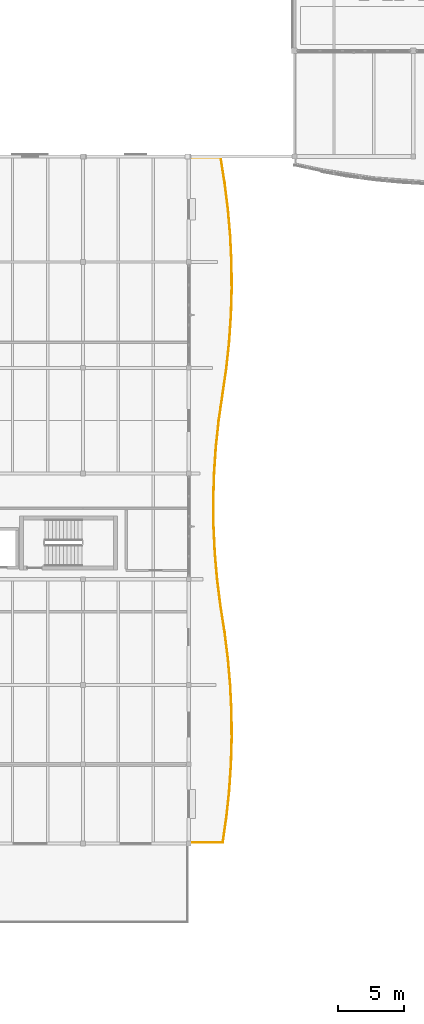
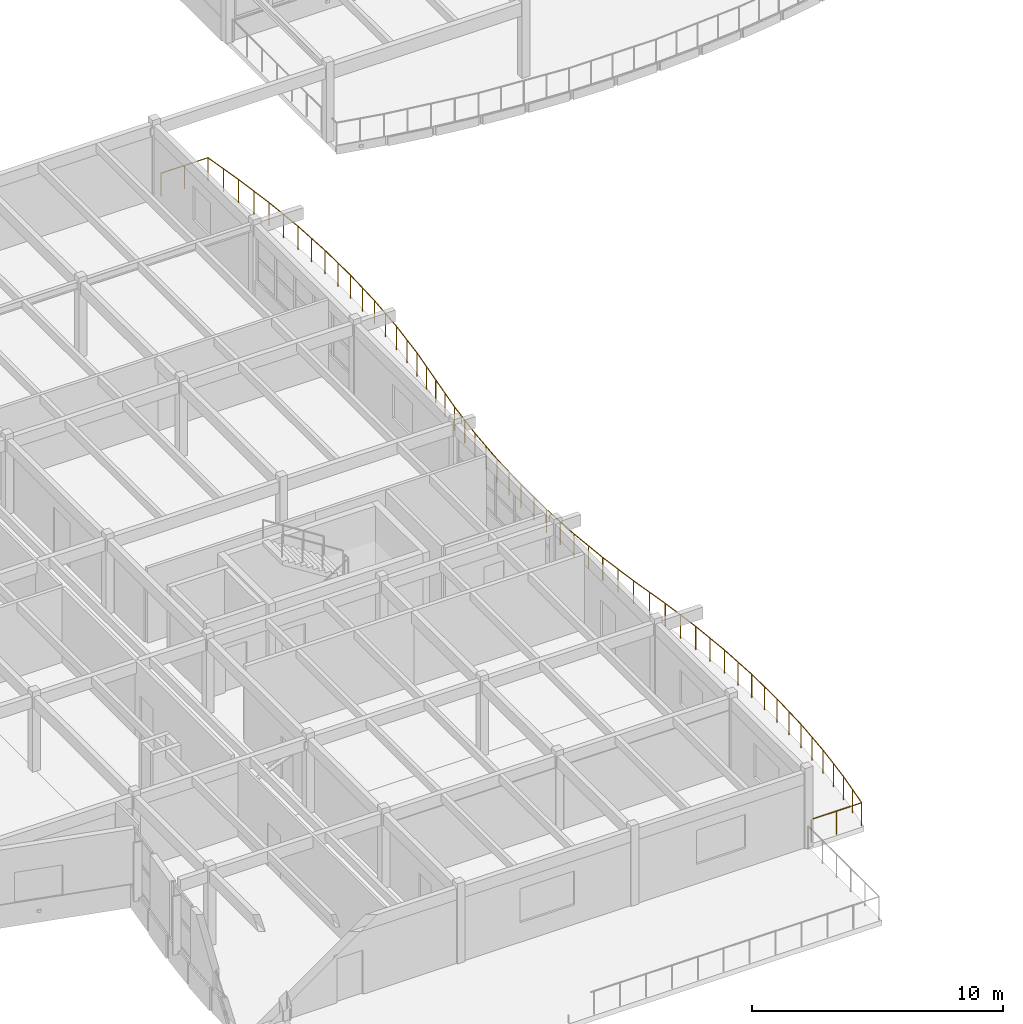
# One storey, part 56 of 63: 1 railing.
"""IFC4 building model written with IfcOpenShell, lengths in metres."""

import ifcopenshell
import ifcopenshell.guid

model = None  # the IFC model being written
_history = None  # IfcOwnerHistory: only IFC2X3 demands one
_inside = {}  # id of a spatial element -> (the spatial element, [elements in it])
_under = {}  # id of a project, library or spatial element -> (it, [spatial elements below it])
_declared = {}  # id of a project -> (the project, [libraries it declares])
_typed = {}  # id of a type object -> (the type object, [elements of that type])
_made_of = {}  # id of a material, layer set ... -> (it, [elements and type objects made of it])


def new_model(schema):
    """Start an empty IFC model of exactly this schema.

    Asked for "IFC4X3", IfcOpenShell would pick the latest addendum, in which some entities
    have other attributes; the version numbers below select the first issue.
    IFC2X3 requires an IfcOwnerHistory on every rooted entity: one is made here for all.
    """
    global model, _history
    if schema == "IFC4X3":
        model = ifcopenshell.file(schema_version=(4, 3, 0, 0))
    else:
        model = ifcopenshell.file(schema=schema)
    _inside.clear()
    _under.clear()
    _declared.clear()
    _typed.clear()
    _made_of.clear()
    _history = None
    if model.schema == "IFC2X3":
        org = make("IfcOrganization", Name="unknown")
        user = make(
            "IfcPersonAndOrganization",
            ThePerson=make("IfcPerson", FamilyName="unknown"),
            TheOrganization=org,
        )
        app = make(
            "IfcApplication",
            ApplicationDeveloper=org,
            Version="unknown",
            ApplicationFullName="unknown",
            ApplicationIdentifier="unknown",
        )
        _history = make(
            "IfcOwnerHistory",
            OwningUser=user,
            OwningApplication=app,
            ChangeAction="ADDED",
            CreationDate=0,
        )
    return model


def make(cls, **values):
    """One entity of the class cls with the attributes given. An attribute that is None is left unset."""
    return model.create_entity(
        cls, **{name: value for name, value in values.items() if value is not None}
    )


def rooted(cls, **values):
    """An entity with a GlobalId (a new one), such as an element, a storey or a relation."""
    return make(cls, GlobalId=ifcopenshell.guid.new(), OwnerHistory=_history, **values)


def si_unit(unit_type, name, prefix=None):
    """IfcSIUnit, for example si_unit("LENGTHUNIT", "METRE", prefix="MILLI")."""
    return make("IfcSIUnit", UnitType=unit_type, Prefix=prefix, Name=name)


def assignment(units):
    """IfcUnitAssignment: the units of a project."""
    return None if units is None else make("IfcUnitAssignment", Units=units)


def point(xyz):
    """IfcCartesianPoint."""
    return None if xyz is None else make("IfcCartesianPoint", Coordinates=xyz)


def direction(xyz):
    """IfcDirection."""
    return None if xyz is None else make("IfcDirection", DirectionRatios=xyz)


def frame(location, z_axis=None, x_axis=None):
    """IfcAxis2Placement3D, a coordinate frame: its origin and axes. An axis left out is left unset."""
    return make(
        "IfcAxis2Placement3D",
        Location=point(location),
        Axis=direction(z_axis),
        RefDirection=direction(x_axis),
    )


def frame_2d(location, x_axis=None):
    """IfcAxis2Placement2D, a coordinate frame in the plane: its origin and x axis."""
    return make(
        "IfcAxis2Placement2D", Location=point(location), RefDirection=direction(x_axis)
    )


def origin():
    """The frame at (0, 0, 0) with its axes left unset."""
    return frame((0.0, 0.0, 0.0))


def origin_2d():
    """The frame at (0, 0) in the plane with its x axis left unset."""
    return frame_2d((0.0, 0.0))


def place(relative_to, where):
    """IfcLocalPlacement: puts the frame where relative to a parent placement (None: the world)."""
    return make(
        "IfcLocalPlacement", PlacementRelTo=relative_to, RelativePlacement=where
    )


def context(
    kind, dimensions, precision=None, world=None, true_north=None, identifier=None
):
    """IfcGeometricRepresentationContext, for example the 3D "Model" context."""
    return make(
        "IfcGeometricRepresentationContext",
        ContextIdentifier=identifier,
        ContextType=kind,
        CoordinateSpaceDimension=dimensions,
        Precision=precision,
        WorldCoordinateSystem=world,
        TrueNorth=true_north,
    )


def subcontext(parent, identifier, kind, view, scale=None):
    """IfcGeometricRepresentationSubContext, for example "Body" below "Model"."""
    return make(
        "IfcGeometricRepresentationSubContext",
        ContextIdentifier=identifier,
        ContextType=kind,
        ParentContext=parent,
        TargetScale=scale,
        TargetView=view,
    )


def project(units=None, contexts=None):
    """IfcProject with its units and contexts."""
    return rooted(
        "IfcProject",
        Name="project",
        RepresentationContexts=contexts,
        UnitsInContext=assignment(units),
    )


def spatial(cls, under=None, at=None, **own):
    """A site, building, storey or space (cls), placed at a placement, below another one or the project."""
    s = rooted(cls, ObjectPlacement=at, **own)
    if under is not None:
        _under.setdefault(under.id(), (under, []))[1].append(s)
    return s


def profile(cls, at=None, kind="AREA", **sizes):
    """A parametric profile (cls). Its sizes go by their IFC names, for example OverallWidth=200.0."""
    return make(cls, ProfileType=kind, Position=at, **sizes)


def circle(**sizes):
    """IfcCircleProfileDef."""
    return profile("IfcCircleProfileDef", **sizes)


def extrude(swept, where, along, depth):
    """IfcExtrudedAreaSolid: the profile swept, set in the frame where, extruded along a direction by depth."""
    return make(
        "IfcExtrudedAreaSolid",
        SweptArea=swept,
        Position=where,
        ExtrudedDirection=direction(along),
        Depth=depth,
    )


def shape(context_of_items, identifier, shape_type, items):
    """IfcShapeRepresentation: the items that make up one representation, for example the "Body"."""
    return make(
        "IfcShapeRepresentation",
        ContextOfItems=context_of_items,
        RepresentationIdentifier=identifier,
        RepresentationType=shape_type,
        Items=items,
    )


def material(Name=None, Category=None):
    """IfcMaterial."""
    return make("IfcMaterial", Name=Name, Category=Category)


def made_of(thing, what):
    """Note that an element or type object is made of a material, layer set ...; save() writes the relation."""
    if what is not None:
        _made_of.setdefault(what.id(), (what, []))[1].append(thing)
    return thing


def type_object(cls, material=None, **own):
    """A type object (cls), such as IfcWallType, which elements share."""
    return made_of(rooted(cls, **own), material)


def element(
    cls,
    number,
    at=None,
    inside=None,
    cuts=None,
    type_object=None,
    material=None,
    context=None,
    identifier="Body",
    shape_type=None,
    held_by="IfcProductDefinitionShape",
    body=None,
    shapes=None,
    **own,
):
    """One element of the class cls, such as IfcWall. Its Tag is "e" and its number.

    at: its placement. inside: the storey or other place that contains it. cuts: it is an
    opening in that element (IfcRelVoidsElement). A single representation is given by context,
    identifier, shape_type and body (its items); several are given by shapes. held_by: the class
    of the entity that holds the representations. save() writes the other relations.
    """
    e = rooted(cls, Tag="e%d" % number, ObjectPlacement=at, **own)
    if body is not None:
        shapes = [shape(context, identifier, shape_type, body)]
    if shapes is not None:
        e.Representation = make(held_by, Representations=shapes)
    if inside is not None:
        _inside.setdefault(inside.id(), (inside, []))[1].append(e)
    if cuts is not None:
        rooted(
            "IfcRelVoidsElement", RelatingBuildingElement=cuts, RelatedOpeningElement=e
        )
    if type_object is not None:
        _typed.setdefault(type_object.id(), (type_object, []))[1].append(e)
    return made_of(e, material)


def aggregate(whole, parts):
    """IfcRelAggregates: a whole, such as a stair, and the parts it consists of."""
    return rooted("IfcRelAggregates", RelatingObject=whole, RelatedObjects=parts)


def save(model, path):
    """Write the relations noted so far, then the file.

    IfcRelAggregates (storeys below a building ...), IfcRelContainedInSpatialStructure (elements
    in a storey), IfcRelDefinesByType, IfcRelAssociatesMaterial and IfcRelDeclares: one each for
    every whole, place, type object, material and project.
    """
    for whole, parts in _under.values():
        aggregate(whole, parts)
    for where, things in _inside.values():
        rooted(
            "IfcRelContainedInSpatialStructure",
            RelatedElements=things,
            RelatingStructure=where,
        )
    for kind, things in _typed.values():
        rooted("IfcRelDefinesByType", RelatedObjects=things, RelatingType=kind)
    for what, things in _made_of.values():
        rooted("IfcRelAssociatesMaterial", RelatedObjects=things, RelatingMaterial=what)
    for by, libraries in _declared.values():
        rooted("IfcRelDeclares", RelatingContext=by, RelatedDefinitions=libraries)
    model.write(path)


model = new_model("IFC4")

# Units and contexts
model_context = context("Model", 3, precision=1e-05, world=origin(), true_north=direction((0.0, 1.0)))
body_context = subcontext(model_context, "Body", "Model", "MODEL_VIEW")
ifc_project = project(units=[si_unit("LENGTHUNIT", "METRE"), si_unit("AREAUNIT", "SQUARE_METRE"), si_unit("VOLUMEUNIT", "CUBIC_METRE"), si_unit("PLANEANGLEUNIT", "RADIAN"), si_unit("MASSUNIT", "GRAM", prefix="KILO")], contexts=[model_context])

# Site, building, storey
site_placement = place(None, origin())
site = spatial("IfcSite", under=ifc_project, at=site_placement, CompositionType="ELEMENT")
building_placement = place(site_placement, origin())
building = spatial("IfcBuilding", under=site, at=building_placement, Name="Tonlespit Floodbar School", CompositionType="ELEMENT")
storey_placement = place(building_placement, frame((0.0, 0.0, 8.39990234375)))
storey = spatial("IfcBuildingStorey", under=building, at=storey_placement, Name="L02", CompositionType="ELEMENT", Elevation=8.39990234375)

# Railing
ifc_material = material(Name="Galvanised Steel", Category="steel")
railing_type = type_object("IfcRailingType", Name="Balustrade_Ext_1150", PredefinedType="BALUSTRADE", material=ifc_material)
railing_placement = place(storey_placement, frame((36.26123046875, 95.919921875, 0.0)))
element("IfcRailing", 1, at=railing_placement, inside=storey, type_object=railing_type, Name="L02 terrace balustrade 017", PredefinedType="BALUSTRADE", context=body_context, shape_type="SweptSolid", body=[
    extrude(circle(Radius=0.02392578125, at=origin_2d()), frame((0.0, 0.0, 1.1259765625), z_axis=(1.0, 0.0, 0.0), x_axis=(0.0, 1.0, 0.0)), (0.0, 0.0, 1.0), 2.1640625),
    extrude(circle(Radius=0.02392578125, at=origin_2d()), frame((2.1640625, 0.0, 1.1259765625), z_axis=(0.15415965399, -0.988045950896, 0.0), x_axis=(0.988045950896, 0.15415965399, 0.0)), (0.0, 0.0, 1.0), 1.954345703125),
    extrude(circle(Radius=0.02392578125, at=origin_2d()), frame((2.46533203125, -1.930908203125, 1.1259765625), z_axis=(0.124915343576, -0.992167403687, 0.0), x_axis=(0.992167403687, 0.124915343576, 0.0)), (0.0, 0.0, 1.0), 2.01318359375),
    extrude(circle(Radius=0.02392578125, at=origin_2d()), frame((2.716796875, -3.92822265625, 1.1259765625), z_axis=(0.086603335712, -0.996242873121, 0.0), x_axis=(0.996242873121, 0.086603335712, 0.0)), (0.0, 0.0, 1.0), 2.00439453125),
    extrude(circle(Radius=0.02392578125, at=origin_2d()), frame((2.890380859375, -5.925048828125, 1.1259765625), z_axis=(0.048110483615, -0.998842020225, 0.0), x_axis=(0.998842020225, 0.048110483615, 0.0)), (0.0, 0.0, 1.0), 1.999267578125),
    extrude(circle(Radius=0.02392578125, at=origin_2d()), frame((2.986572265625, -7.922119140625, 1.1259765625), z_axis=(0.009658431978, -0.999953356258, 0.0), x_axis=(0.999953356258, 0.009658431978, 0.0)), (0.0, 0.0, 1.0), 1.996826171875),
    extrude(circle(Radius=0.02392578125, at=origin_2d()), frame((3.005859375, -9.9189453125, 1.1259765625), z_axis=(-0.028838855916, -0.999584073697, 0.0), x_axis=(0.999584073697, -0.028838855916, 0.0)), (0.0, 0.0, 1.0), 1.997802734375),
    extrude(circle(Radius=0.02392578125, at=origin_2d()), frame((2.9482421875, -11.916015625, 1.1259765625), z_axis=(-0.067336731777, -0.997730306523, 0.0), x_axis=(0.997730306523, -0.067336731777, 0.0)), (0.0, 0.0, 1.0), 2.00146484375),
    extrude(circle(Radius=0.02392578125, at=origin_2d()), frame((2.8134765625, -13.912841796875, 1.1259765625), z_axis=(-0.105773265444, -0.994390273644, 0.0), x_axis=(0.994390273644, -0.105773265444, 0.0)), (0.0, 0.0, 1.0), 2.008056640625),
    extrude(circle(Radius=0.02392578125, at=origin_2d()), frame((2.60107421875, -15.90966796875, 1.1259765625), z_axis=(-0.144314289897, -0.989531902331, 0.0), x_axis=(0.989531902331, -0.144314289897, 0.0)), (0.0, 0.0, 1.0), 2.02001953125),
    extrude(circle(Radius=0.02392578125, at=origin_2d()), frame((2.3095703125, -17.908447265625, 1.1259765625), z_axis=(-0.144262527871, -0.989539449973, 0.0), x_axis=(0.989539449973, -0.144262527871, 0.0)), (0.0, 0.0, 1.0), 2.020751953125),
    extrude(circle(Radius=0.02392578125, at=origin_2d()), frame((2.01806640625, -19.907958984375, 1.1259765625), z_axis=(-0.105801352872, -0.994387285584, 0.0), x_axis=(0.994387285584, -0.105801352872, 0.0)), (0.0, 0.0, 1.0), 2.014404296875),
    extrude(circle(Radius=0.02392578125, at=origin_2d()), frame((1.804931640625, -21.9111328125, 1.1259765625), z_axis=(-0.067374594557, -0.997727750445, 0.0), x_axis=(0.997727750445, -0.067374594557, 0.0)), (0.0, 0.0, 1.0), 2.007568359375),
    extrude(circle(Radius=0.02392578125, at=origin_2d()), frame((1.669677734375, -23.9140625, 1.1259765625), z_axis=(-0.028872784076, -0.999583094265, 0.0), x_axis=(0.999583094265, -0.028872784076, 0.0)), (0.0, 0.0, 1.0), 2.00390625),
    extrude(circle(Radius=0.02392578125, at=origin_2d()), frame((1.61181640625, -25.917236328125, 1.1259765625), z_axis=(0.009505969012, -0.999954817256, 0.0), x_axis=(0.999954817256, 0.009505969012, 0.0)), (0.0, 0.0, 1.0), 2.003173828125),
    extrude(circle(Radius=0.02392578125, at=origin_2d()), frame((1.630859375, -27.92041015625, 1.1259765625), z_axis=(0.048091535643, -0.998842932697, 0.0), x_axis=(0.998842932697, 0.048091535643, 0.0)), (0.0, 0.0, 1.0), 2.00537109375),
    extrude(circle(Radius=0.02392578125, at=origin_2d()), frame((1.727294921875, -29.92333984375, 1.1259765625), z_axis=(0.086571981904, -0.996245598208, 0.0), x_axis=(0.996245598208, 0.086571981904, 0.0)), (0.0, 0.0, 1.0), 2.0107421875),
    extrude(circle(Radius=0.02392578125, at=origin_2d()), frame((1.9013671875, -31.926513671875, 1.1259765625), z_axis=(0.124912768184, -0.992167727929, 0.0), x_axis=(0.992167727929, 0.124912768184, 0.0)), (0.0, 0.0, 1.0), 2.01904296875),
    extrude(circle(Radius=0.02392578125, at=origin_2d()), frame((2.153564453125, -33.9296875, 1.1259765625), z_axis=(0.153931928489, -0.988081454836, 0.0), x_axis=(0.988081454836, 0.153931928489, 0.0)), (0.0, 0.0, 1.0), 2.025390625),
    extrude(circle(Radius=0.02392578125, at=origin_2d()), frame((2.46533203125, -35.930908203125, 1.1259765625), z_axis=(0.124915343576, -0.992167403687, 0.0), x_axis=(0.992167403687, 0.124915343576, 0.0)), (0.0, 0.0, 1.0), 2.01318359375),
    extrude(circle(Radius=0.02392578125, at=origin_2d()), frame((2.716796875, -37.92822265625, 1.1259765625), z_axis=(0.086603335712, -0.996242873121, 0.0), x_axis=(0.996242873121, 0.086603335712, 0.0)), (0.0, 0.0, 1.0), 2.00439453125),
    extrude(circle(Radius=0.02392578125, at=origin_2d()), frame((2.890380859375, -39.925048828125, 1.1259765625), z_axis=(0.048110483615, -0.998842020225, 0.0), x_axis=(0.998842020225, 0.048110483615, 0.0)), (0.0, 0.0, 1.0), 1.999267578125),
    extrude(circle(Radius=0.02392578125, at=origin_2d()), frame((2.986572265625, -41.922119140625, 1.1259765625), z_axis=(0.009658431978, -0.999953356258, 0.0), x_axis=(0.999953356258, 0.009658431978, 0.0)), (0.0, 0.0, 1.0), 1.996826171875),
    extrude(circle(Radius=0.02392578125, at=origin_2d()), frame((3.005859375, -43.9189453125, 1.1259765625), z_axis=(-0.028838855916, -0.999584073697, 0.0), x_axis=(0.999584073697, -0.028838855916, 0.0)), (0.0, 0.0, 1.0), 1.997802734375),
    extrude(circle(Radius=0.02392578125, at=origin_2d()), frame((2.9482421875, -45.916015625, 1.1259765625), z_axis=(-0.067336731777, -0.997730306523, 0.0), x_axis=(0.997730306523, -0.067336731777, 0.0)), (0.0, 0.0, 1.0), 2.00146484375),
    extrude(circle(Radius=0.02392578125, at=origin_2d()), frame((2.8134765625, -47.912841796875, 1.1259765625), z_axis=(-0.105773265444, -0.994390273644, 0.0), x_axis=(0.994390273644, -0.105773265444, 0.0)), (0.0, 0.0, 1.0), 2.008056640625),
    extrude(circle(Radius=0.02392578125, at=origin_2d()), frame((2.60107421875, -49.90966796875, 1.1259765625), z_axis=(-0.144347754986, -0.989527021172, 0.0), x_axis=(0.989527021172, -0.144347754986, 0.0)), (0.0, 0.0, 1.0), 1.9501953125),
    extrude(circle(Radius=0.02392578125, at=origin_2d()), frame((2.319580078125, -51.83935546875, 1.1259765625), z_axis=(-0.999999977844, -0.000210504153, 0.0), x_axis=(0.000210504153, -0.999999977844, 0.0)), (0.0, 0.0, 1.0), 2.319580078125),
    extrude(circle(Radius=0.02099609375, at=origin_2d()), origin(), (0.0, 0.0, 1.0), 1.101806640625),
    extrude(circle(Radius=0.02099609375, at=origin_2d()), frame((1.08203125, 0.0, 0.0)), (0.0, 0.0, 1.0), 1.101806640625),
    extrude(circle(Radius=0.02099609375, at=origin_2d()), frame((2.1640625, 0.0, 0.0)), (0.0, 0.0, 1.0), 1.101806640625),
    extrude(circle(Radius=0.02099609375, at=origin_2d()), frame((2.314697265625, -0.96533203125, 0.0)), (0.0, 0.0, 1.0), 1.101806640625),
    extrude(circle(Radius=0.02099609375, at=origin_2d()), frame((2.46533203125, -1.930908203125, 0.0)), (0.0, 0.0, 1.0), 1.101806640625),
    extrude(circle(Radius=0.02099609375, at=origin_2d()), frame((2.591064453125, -2.9296875, 0.0)), (0.0, 0.0, 1.0), 1.101806640625),
    extrude(circle(Radius=0.02099609375, at=origin_2d()), frame((2.716796875, -3.92822265625, 0.0)), (0.0, 0.0, 1.0), 1.101806640625),
    extrude(circle(Radius=0.02099609375, at=origin_2d()), frame((2.8037109375, -4.9267578125, 0.0)), (0.0, 0.0, 1.0), 1.101806640625),
    extrude(circle(Radius=0.02099609375, at=origin_2d()), frame((2.890380859375, -5.925048828125, 0.0)), (0.0, 0.0, 1.0), 1.101806640625),
    extrude(circle(Radius=0.02099609375, at=origin_2d()), frame((2.9384765625, -6.923583984375, 0.0)), (0.0, 0.0, 1.0), 1.101806640625),
    extrude(circle(Radius=0.02099609375, at=origin_2d()), frame((2.986572265625, -7.922119140625, 0.0)), (0.0, 0.0, 1.0), 1.101806640625),
    extrude(circle(Radius=0.02099609375, at=origin_2d()), frame((2.99609375, -8.92041015625, 0.0)), (0.0, 0.0, 1.0), 1.101806640625),
    extrude(circle(Radius=0.02099609375, at=origin_2d()), frame((3.005859375, -9.9189453125, 0.0)), (0.0, 0.0, 1.0), 1.101806640625),
    extrude(circle(Radius=0.02099609375, at=origin_2d()), frame((2.97705078125, -10.91748046875, 0.0)), (0.0, 0.0, 1.0), 1.101806640625),
    extrude(circle(Radius=0.02099609375, at=origin_2d()), frame((2.9482421875, -11.916015625, 0.0)), (0.0, 0.0, 1.0), 1.101806640625),
    extrude(circle(Radius=0.02099609375, at=origin_2d()), frame((2.880859375, -12.91455078125, 0.0)), (0.0, 0.0, 1.0), 1.101806640625),
    extrude(circle(Radius=0.02099609375, at=origin_2d()), frame((2.8134765625, -13.912841796875, 0.0)), (0.0, 0.0, 1.0), 1.101806640625),
    extrude(circle(Radius=0.02099609375, at=origin_2d()), frame((2.707275390625, -14.9111328125, 0.0)), (0.0, 0.0, 1.0), 1.101806640625),
    extrude(circle(Radius=0.02099609375, at=origin_2d()), frame((2.60107421875, -15.90966796875, 0.0)), (0.0, 0.0, 1.0), 1.101806640625),
    extrude(circle(Radius=0.02099609375, at=origin_2d()), frame((2.455322265625, -16.9091796875, 0.0)), (0.0, 0.0, 1.0), 1.101806640625),
    extrude(circle(Radius=0.02099609375, at=origin_2d()), frame((2.3095703125, -17.908447265625, 0.0)), (0.0, 0.0, 1.0), 1.101806640625),
    extrude(circle(Radius=0.02099609375, at=origin_2d()), frame((2.163818359375, -18.908203125, 0.0)), (0.0, 0.0, 1.0), 1.101806640625),
    extrude(circle(Radius=0.02099609375, at=origin_2d()), frame((2.01806640625, -19.907958984375, 0.0)), (0.0, 0.0, 1.0), 1.101806640625),
    extrude(circle(Radius=0.02099609375, at=origin_2d()), frame((1.91162109375, -20.90966796875, 0.0)), (0.0, 0.0, 1.0), 1.101806640625),
    extrude(circle(Radius=0.02099609375, at=origin_2d()), frame((1.804931640625, -21.9111328125, 0.0)), (0.0, 0.0, 1.0), 1.101806640625),
    extrude(circle(Radius=0.02099609375, at=origin_2d()), frame((1.7373046875, -22.91259765625, 0.0)), (0.0, 0.0, 1.0), 1.101806640625),
    extrude(circle(Radius=0.02099609375, at=origin_2d()), frame((1.669677734375, -23.9140625, 0.0)), (0.0, 0.0, 1.0), 1.101806640625),
    extrude(circle(Radius=0.02099609375, at=origin_2d()), frame((1.640625, -24.91552734375, 0.0)), (0.0, 0.0, 1.0), 1.101806640625),
    extrude(circle(Radius=0.02099609375, at=origin_2d()), frame((1.61181640625, -25.917236328125, 0.0)), (0.0, 0.0, 1.0), 1.101806640625),
    extrude(circle(Radius=0.02099609375, at=origin_2d()), frame((1.621337890625, -26.9189453125, 0.0)), (0.0, 0.0, 1.0), 1.101806640625),
    extrude(circle(Radius=0.02099609375, at=origin_2d()), frame((1.630859375, -27.92041015625, 0.0)), (0.0, 0.0, 1.0), 1.101806640625),
    extrude(circle(Radius=0.02099609375, at=origin_2d()), frame((1.67919921875, -28.921875, 0.0)), (0.0, 0.0, 1.0), 1.101806640625),
    extrude(circle(Radius=0.02099609375, at=origin_2d()), frame((1.727294921875, -29.92333984375, 0.0)), (0.0, 0.0, 1.0), 1.101806640625),
    extrude(circle(Radius=0.02099609375, at=origin_2d()), frame((1.814453125, -30.9248046875, 0.0)), (0.0, 0.0, 1.0), 1.101806640625),
    extrude(circle(Radius=0.02099609375, at=origin_2d()), frame((1.9013671875, -31.926513671875, 0.0)), (0.0, 0.0, 1.0), 1.101806640625),
    extrude(circle(Radius=0.02099609375, at=origin_2d()), frame((2.02734375, -32.92822265625, 0.0)), (0.0, 0.0, 1.0), 1.101806640625),
    extrude(circle(Radius=0.02099609375, at=origin_2d()), frame((2.153564453125, -33.9296875, 0.0)), (0.0, 0.0, 1.0), 1.101806640625),
    extrude(circle(Radius=0.02099609375, at=origin_2d()), frame((2.3095703125, -34.93017578125, 0.0)), (0.0, 0.0, 1.0), 1.101806640625),
    extrude(circle(Radius=0.02099609375, at=origin_2d()), frame((2.46533203125, -35.930908203125, 0.0)), (0.0, 0.0, 1.0), 1.101806640625),
    extrude(circle(Radius=0.02099609375, at=origin_2d()), frame((2.591064453125, -36.9296875, 0.0)), (0.0, 0.0, 1.0), 1.101806640625),
    extrude(circle(Radius=0.02099609375, at=origin_2d()), frame((2.716796875, -37.92822265625, 0.0)), (0.0, 0.0, 1.0), 1.101806640625),
    extrude(circle(Radius=0.02099609375, at=origin_2d()), frame((2.8037109375, -38.9267578125, 0.0)), (0.0, 0.0, 1.0), 1.101806640625),
    extrude(circle(Radius=0.02099609375, at=origin_2d()), frame((2.890380859375, -39.925048828125, 0.0)), (0.0, 0.0, 1.0), 1.101806640625),
    extrude(circle(Radius=0.02099609375, at=origin_2d()), frame((2.9384765625, -40.923583984375, 0.0)), (0.0, 0.0, 1.0), 1.101806640625),
    extrude(circle(Radius=0.02099609375, at=origin_2d()), frame((2.986572265625, -41.922119140625, 0.0)), (0.0, 0.0, 1.0), 1.101806640625),
    extrude(circle(Radius=0.02099609375, at=origin_2d()), frame((2.99609375, -42.92041015625, 0.0)), (0.0, 0.0, 1.0), 1.101806640625),
    extrude(circle(Radius=0.02099609375, at=origin_2d()), frame((3.005859375, -43.9189453125, 0.0)), (0.0, 0.0, 1.0), 1.101806640625),
    extrude(circle(Radius=0.02099609375, at=origin_2d()), frame((2.97705078125, -44.91748046875, 0.0)), (0.0, 0.0, 1.0), 1.101806640625),
    extrude(circle(Radius=0.02099609375, at=origin_2d()), frame((2.9482421875, -45.916015625, 0.0)), (0.0, 0.0, 1.0), 1.101806640625),
    extrude(circle(Radius=0.02099609375, at=origin_2d()), frame((2.880859375, -46.91455078125, 0.0)), (0.0, 0.0, 1.0), 1.101806640625),
    extrude(circle(Radius=0.02099609375, at=origin_2d()), frame((2.8134765625, -47.912841796875, 0.0)), (0.0, 0.0, 1.0), 1.101806640625),
    extrude(circle(Radius=0.02099609375, at=origin_2d()), frame((2.707275390625, -48.9111328125, 0.0)), (0.0, 0.0, 1.0), 1.101806640625),
    extrude(circle(Radius=0.02099609375, at=origin_2d()), frame((2.60107421875, -49.90966796875, 0.0)), (0.0, 0.0, 1.0), 1.101806640625),
    extrude(circle(Radius=0.02099609375, at=origin_2d()), frame((2.46044921875, -50.87451171875, 0.0)), (0.0, 0.0, 1.0), 1.101806640625),
    extrude(circle(Radius=0.02099609375, at=origin_2d()), frame((2.319580078125, -51.83935546875, 0.0)), (0.0, 0.0, 1.0), 1.101806640625),
    extrude(circle(Radius=0.02099609375, at=origin_2d()), frame((1.15966796875, -51.839599609375, 0.0)), (0.0, 0.0, 1.0), 1.101806640625),
    extrude(circle(Radius=0.02099609375, at=origin_2d()), frame((0.0, -51.83984375, 0.0)), (0.0, 0.0, 1.0), 1.101806640625),
])

save(model, "model.ifc")
